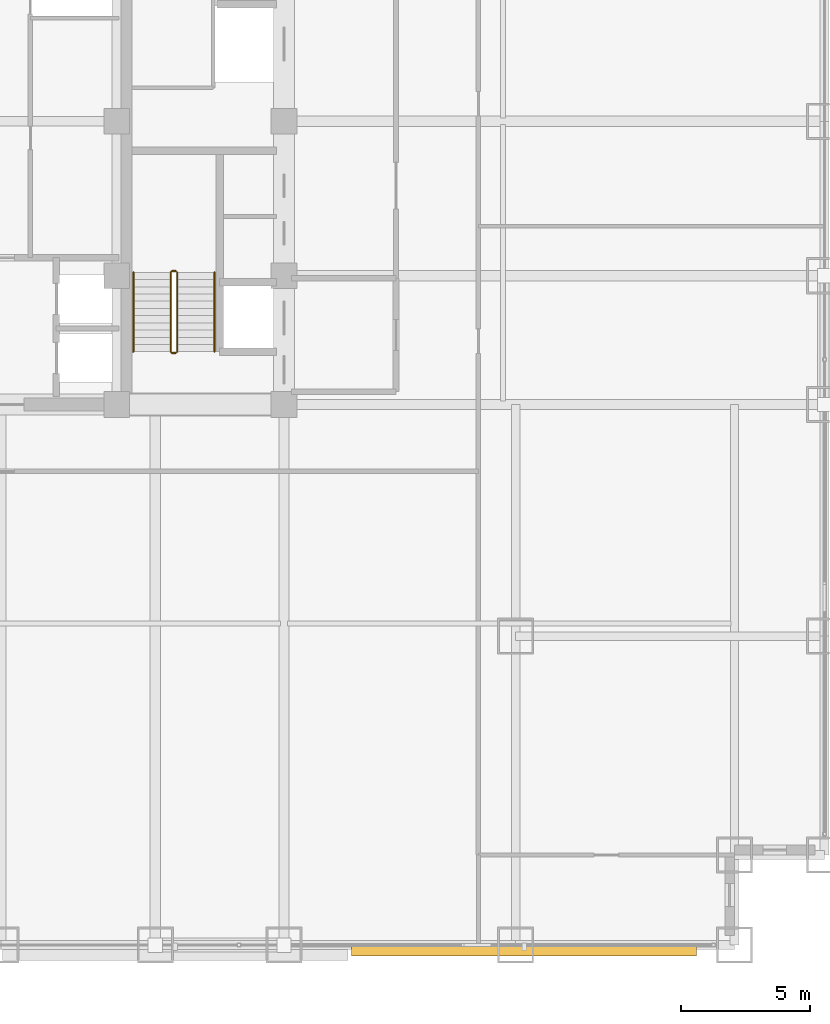
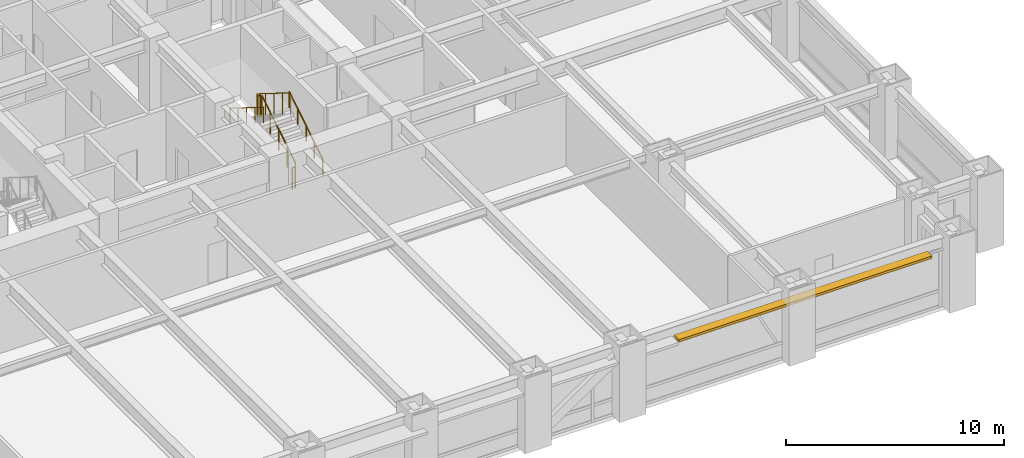
# One storey, part 29 of 31: 6 railings, 1 shading device.
"""IFC4 building model written with IfcOpenShell, lengths in metres."""

from ifc_helpers import new_model, si_unit, direction, frame, origin, origin_2d, place, context, subcontext, project, spatial, rectangle, circle, extrude, source, transform, mapped, material, layer, layer_set, type_object, element, save


model = new_model("IFC4")

# Units and contexts
model_context = context("Model", 3, precision=1e-05, world=origin(), true_north=direction((0.0, 1.0)))
body_context = subcontext(model_context, "Body", "Model", "MODEL_VIEW")
ifc_project = project(units=[si_unit("LENGTHUNIT", "METRE"), si_unit("AREAUNIT", "SQUARE_METRE"), si_unit("VOLUMEUNIT", "CUBIC_METRE"), si_unit("PLANEANGLEUNIT", "RADIAN"), si_unit("MASSUNIT", "GRAM", prefix="KILO")], contexts=[model_context])

# Site, building, storey
site_placement = place(None, origin())
site = spatial("IfcSite", under=ifc_project, at=site_placement, CompositionType="ELEMENT")
building_placement = place(site_placement, origin())
building = spatial("IfcBuilding", under=site, at=building_placement, Name="Khorayat Bourse Tower", CompositionType="ELEMENT")
storey_placement = place(building_placement, frame((0.0, 0.0, 32.60009765625)))
storey = spatial("IfcBuildingStorey", under=building, at=storey_placement, Name="L06", CompositionType="ELEMENT", Elevation=32.60009765625)

# Shading device
ifc_material_1 = material(Name="Precast concrete C45/55", Category="concrete")
ifc_layer = layer(ifc_material_1, 0.139892578125)
ifc_layer_set = layer_set([ifc_layer], Name="Precast concrete C45/55")
shading_device_type = type_object("IfcShadingDeviceType", Name="SHD-WAVE-TRAY-B", PredefinedType="USERDEFINED", material=ifc_layer_set)
shared_shape_1 = source(origin(), body_context, "Body", "SweptSolid", [
    extrude(rectangle(XDim=13.409912109375, YDim=0.451171875, at=origin_2d()), origin(), (0.0, 0.0, 1.0), 0.139892578125),
])
shading_device_placement = place(storey_placement, frame((20.324951171875, -32.20556640625, 3.18994140625), z_axis=(0.0, 0.0, 1.0), x_axis=(1.0, 0.0, 0.0)))
element("IfcShadingDevice", 1, at=shading_device_placement, inside=storey, type_object=shading_device_type, Name="L06 Sinusoidal Wave Sunshade Tray S-4", ObjectType="SUNSHADE", PredefinedType="USERDEFINED", context=body_context, shape_type="MappedRepresentation", body=[
    mapped(shared_shape_1, transform((0.0, 0.0, 0.0), scale=1.0)),
])

# Railings
ifc_material_2 = material(Name="Powder-coated steel balustrade", Category="steel")
railing_type_1 = type_object("IfcRailingType", Name="RLG-GUARD-1200", PredefinedType="GUARDRAIL", material=ifc_material_2)
shared_shape_2 = source(origin(), body_context, "Body", "SweptSolid", [
    extrude(circle(Radius=0.02392578125, at=origin_2d()), frame((0.0, 0.0, 1.17578125), z_axis=(-1.0, 0.0, 0.0), x_axis=(0.0, -1.0, 0.0)), (0.0, 0.0, 1.0), 0.150146484375),
    extrude(circle(Radius=0.02099609375, at=origin_2d()), origin(), (0.0, 0.0, 1.0), 1.15185546875),
    extrude(circle(Radius=0.02099609375, at=origin_2d()), frame((-0.150146484375, 0.0, 0.0)), (0.0, 0.0, 1.0), 1.15185546875),
])
for number, where, name in (
    (2, (6.800048828125, -5.820068359375, 2.099853515625), "L06 ST-3 stair guard 2"),
    (3, (6.800048828125, -9.0, 0.0), "L06 ST-3 stair guard 4"),
):
    element("IfcRailing", number, at=place(storey_placement, frame(where)), inside=storey, type_object=railing_type_1, Name=name, PredefinedType="GUARDRAIL", context=body_context, shape_type="MappedRepresentation", body=[
        mapped(shared_shape_2, transform((0.0, 0.0, 0.0), scale=1.0)),
    ])
shared_shape_3 = source(origin(), body_context, "Body", "SweptSolid", [
    extrude(circle(Radius=0.02392578125, at=origin_2d()), frame((0.0, 0.0, 1.17578125), z_axis=(0.0, 0.847979421464, 0.530029150871), x_axis=(-1.0, 0.0, 0.0)), (0.0, 0.0, 1.0), 3.632080078125),
    extrude(circle(Radius=0.02099609375, at=origin_2d()), origin(), (0.0, 0.0, 1.0), 1.15185546875),
    extrude(circle(Radius=0.02099609375, at=origin_2d()), frame((0.0, 0.77001953125, 0.481201171875)), (0.0, 0.0, 1.0), 1.15185546875),
    extrude(circle(Radius=0.02099609375, at=origin_2d()), frame((0.0, 1.5400390625, 0.96240234375)), (0.0, 0.0, 1.0), 1.15185546875),
    extrude(circle(Radius=0.02099609375, at=origin_2d()), frame((0.0, 2.309814453125, 1.44384765625)), (0.0, 0.0, 1.0), 1.15185546875),
    extrude(circle(Radius=0.02099609375, at=origin_2d()), frame((0.0, 3.079833984375, 1.925048828125)), (0.0, 0.0, 1.0), 1.15185546875),
])
railing_1_placement = place(storey_placement, frame((6.85009765625, -8.949951171875, 0.1748046875)))
element("IfcRailing", 4, at=railing_1_placement, inside=storey, type_object=railing_type_1, Name="L06 ST-3 stair guard 1", PredefinedType="GUARDRAIL", context=body_context, shape_type="MappedRepresentation", body=[
    mapped(shared_shape_3, transform((0.0, 0.0, 0.0), scale=1.0)),
])
shared_shape_4 = source(origin(), body_context, "Body", "SweptSolid", [
    extrude(circle(Radius=0.02392578125, at=origin_2d()), frame((0.0, 0.0, 1.17578125), z_axis=(0.0, -0.847979421464, 0.530029150871), x_axis=(1.0, 0.0, 0.0)), (0.0, 0.0, 1.0), 3.632080078125),
    extrude(circle(Radius=0.02099609375, at=origin_2d()), origin(), (0.0, 0.0, 1.0), 1.15185546875),
    extrude(circle(Radius=0.02099609375, at=origin_2d()), frame((0.0, -0.77001953125, 0.481201171875)), (0.0, 0.0, 1.0), 1.15185546875),
    extrude(circle(Radius=0.02099609375, at=origin_2d()), frame((0.0, -1.5400390625, 0.96240234375)), (0.0, 0.0, 1.0), 1.15185546875),
    extrude(circle(Radius=0.02099609375, at=origin_2d()), frame((0.0, -2.309814453125, 1.44384765625)), (0.0, 0.0, 1.0), 1.15185546875),
    extrude(circle(Radius=0.02099609375, at=origin_2d()), frame((0.0, -3.079833984375, 1.925048828125)), (0.0, 0.0, 1.0), 1.15185546875),
])
railing_2_placement = place(storey_placement, frame((6.60009765625, -5.8701171875, 2.27490234375)))
element("IfcRailing", 5, at=railing_2_placement, inside=storey, type_object=railing_type_1, Name="L06 ST-3 stair guard 3", PredefinedType="GUARDRAIL", context=body_context, shape_type="MappedRepresentation", body=[
    mapped(shared_shape_4, transform((0.0, 0.0, 0.0), scale=1.0)),
])
ifc_material_3 = material(Name="Brushed bronze stainless-steel handrail", Category="steel")
railing_type_2 = type_object("IfcRailingType", Name="RLG-HAND-900", PredefinedType="HANDRAIL", material=ifc_material_3)
shared_shape_5 = source(origin(), body_context, "Body", "SweptSolid", [
    extrude(circle(Radius=0.02392578125, at=origin_2d()), frame((0.0, 0.0, 0.8759765625), z_axis=(0.0, 0.847979421464, 0.530029150871), x_axis=(-1.0, 0.0, 0.0)), (0.0, 0.0, 1.0), 3.632080078125),
    extrude(circle(Radius=0.02099609375, at=origin_2d()), origin(), (0.0, 0.0, 1.0), 0.851806640625),
    extrude(circle(Radius=0.02099609375, at=origin_2d()), frame((0.0, 0.77001953125, 0.481201171875)), (0.0, 0.0, 1.0), 0.851806640625),
    extrude(circle(Radius=0.02099609375, at=origin_2d()), frame((0.0, 1.5400390625, 0.96240234375)), (0.0, 0.0, 1.0), 0.851806640625),
    extrude(circle(Radius=0.02099609375, at=origin_2d()), frame((0.0, 2.309814453125, 1.44384765625)), (0.0, 0.0, 1.0), 0.851806640625),
    extrude(circle(Radius=0.02099609375, at=origin_2d()), frame((0.0, 3.079833984375, 1.925048828125)), (0.0, 0.0, 1.0), 0.851806640625),
])
railing_3_placement = place(storey_placement, frame((8.300048828125, -8.949951171875, 0.1748046875)))
element("IfcRailing", 6, at=railing_3_placement, inside=storey, type_object=railing_type_2, Name="L06 ST-3 stair handrail 1", PredefinedType="HANDRAIL", context=body_context, shape_type="MappedRepresentation", body=[
    mapped(shared_shape_5, transform((0.0, 0.0, 0.0), scale=1.0)),
])
shared_shape_6 = source(origin(), body_context, "Body", "SweptSolid", [
    extrude(circle(Radius=0.02392578125, at=origin_2d()), frame((0.0, 0.0, 0.8759765625), z_axis=(0.0, -0.847979421464, 0.530029150871), x_axis=(1.0, 0.0, 0.0)), (0.0, 0.0, 1.0), 3.632080078125),
    extrude(circle(Radius=0.02099609375, at=origin_2d()), origin(), (0.0, 0.0, 1.0), 0.851806640625),
    extrude(circle(Radius=0.02099609375, at=origin_2d()), frame((0.0, -0.77001953125, 0.481201171875)), (0.0, 0.0, 1.0), 0.851806640625),
    extrude(circle(Radius=0.02099609375, at=origin_2d()), frame((0.0, -1.5400390625, 0.96240234375)), (0.0, 0.0, 1.0), 0.851806640625),
    extrude(circle(Radius=0.02099609375, at=origin_2d()), frame((0.0, -2.309814453125, 1.44384765625)), (0.0, 0.0, 1.0), 0.851806640625),
    extrude(circle(Radius=0.02099609375, at=origin_2d()), frame((0.0, -3.079833984375, 1.925048828125)), (0.0, 0.0, 1.0), 0.851806640625),
])
railing_4_placement = place(storey_placement, frame((5.14990234375, -5.8701171875, 2.27490234375)))
element("IfcRailing", 7, at=railing_4_placement, inside=storey, type_object=railing_type_2, Name="L06 ST-3 stair handrail 2", PredefinedType="HANDRAIL", context=body_context, shape_type="MappedRepresentation", body=[
    mapped(shared_shape_6, transform((0.0, 0.0, 0.0), scale=1.0)),
])

save(model, "model.ifc")
